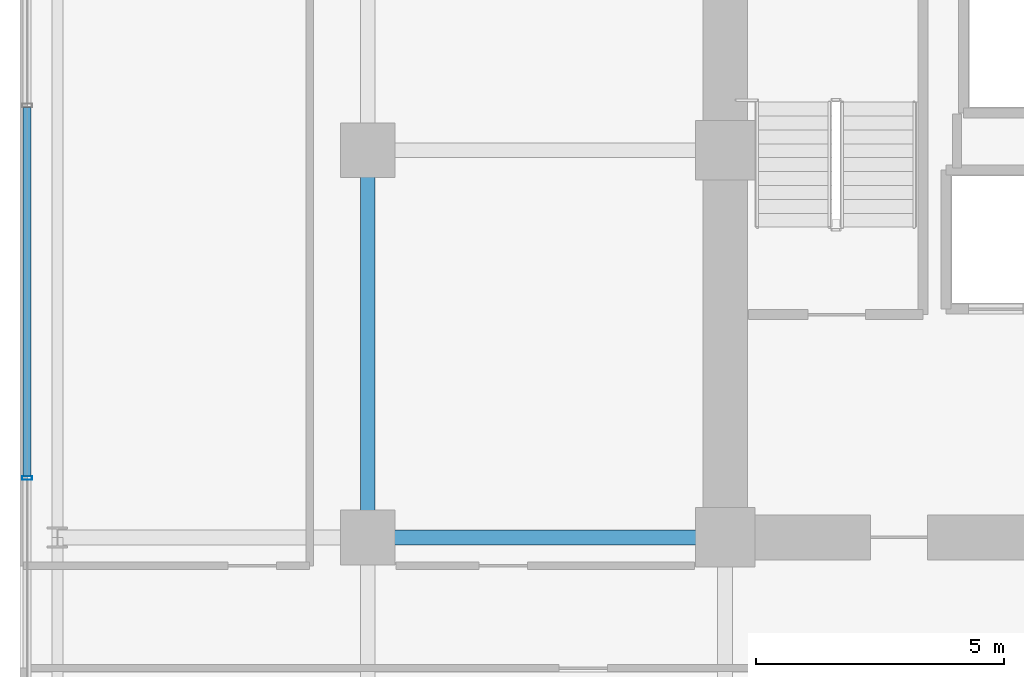
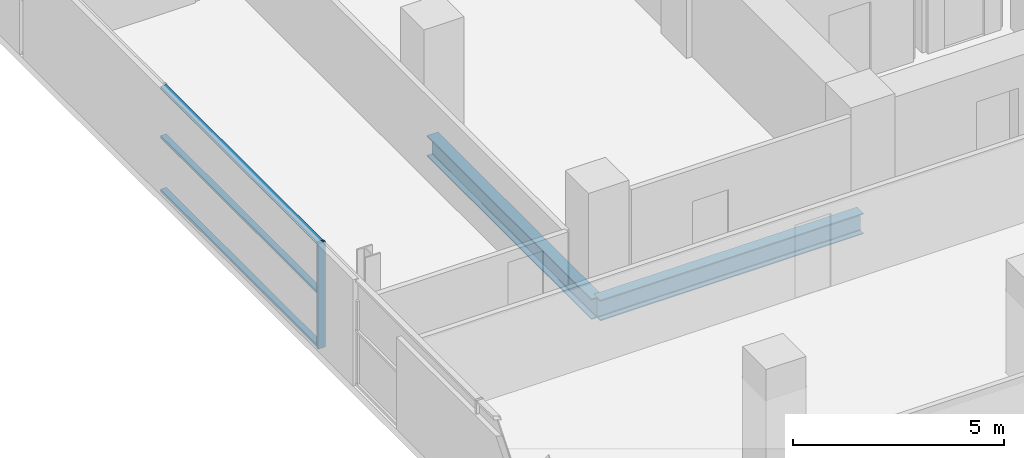
# One storey, part 8 of 28: 4 members, 2 beams, 1 element without a shape of its own.
"""IFC4 building model written with IfcOpenShell, lengths in metres."""

from ifc_helpers import new_model, si_unit, direction, frame, origin, origin_2d, place, context, subcontext, project, spatial, hollow_rectangle, i_section, extrude, source, transform, mapped, material, layer, layer_set, material_profile, profile_set, type_object, element, aggregate, save


model = new_model("IFC4")

# Units and contexts
model_context = context("Model", 3, precision=1e-05, world=origin(), true_north=direction((0.0, 1.0)))
body_context = subcontext(model_context, "Body", "Model", "MODEL_VIEW")
ifc_project = project(units=[si_unit("LENGTHUNIT", "METRE"), si_unit("AREAUNIT", "SQUARE_METRE"), si_unit("VOLUMEUNIT", "CUBIC_METRE"), si_unit("PLANEANGLEUNIT", "RADIAN"), si_unit("MASSUNIT", "GRAM", prefix="KILO")], contexts=[model_context])

# Site, building, storey
site_placement = place(None, origin())
site = spatial("IfcSite", under=ifc_project, at=site_placement, CompositionType="ELEMENT")
building_placement = place(site_placement, origin())
building = spatial("IfcBuilding", under=site, at=building_placement, Name="Zarnakvel Exchange Tower", CompositionType="ELEMENT")
storey_placement = place(building_placement, frame((0.0, 0.0, 57.10009765625)))
storey = spatial("IfcBuildingStorey", under=building, at=storey_placement, Name="L15", CompositionType="ELEMENT", Elevation=57.10009765625)

# Beams
ifc_material_1 = material(Name="Steel S355", Category="steel")
ifc_material_profile_1 = material_profile(ifc_material_1, i_section(OverallWidth=0.300048828125, OverallDepth=0.60009765625, WebThickness=0.015380859375, FlangeThickness=0.030029296875, FilletRadius=0.027099609375, at=origin_2d()))
ifc_profile_set_1 = profile_set([ifc_material_profile_1], Name="Steel S355")
beam_type = type_object("IfcBeamType", Name="G-04", PredefinedType="BEAM", material=ifc_profile_set_1)
beam_1_placement = place(storey_placement, frame((-21.60009765625, -1.199951171875, -0.525146484375), z_axis=(1.0, 0.0, 0.0), x_axis=(0.0, 1.0, 0.0)))
element("IfcBeam", 1, at=beam_1_placement, inside=storey, type_object=beam_type, Name="L15 Tower E-W Frame Beam", PredefinedType="BEAM", context=body_context, shape_type="SweptSolid", body=[
    extrude(i_section(OverallWidth=0.300048828125, OverallDepth=0.60009765625, WebThickness=0.015380859375, FlangeThickness=0.030029296875, FilletRadius=0.027099609375, at=origin_2d()), origin(), (0.0, 0.0, 1.0), 7.2001953125),
])
beam_2_placement = place(storey_placement, frame((-21.60009765625, -1.199951171875, -0.525146484375), z_axis=(0.0, 1.0, 0.0), x_axis=(-1.0, 0.0, 0.0)))
element("IfcBeam", 2, at=beam_2_placement, inside=storey, type_object=beam_type, Name="L15 Tower N-S Frame Beam", PredefinedType="BEAM", context=body_context, shape_type="SweptSolid", body=[
    extrude(i_section(OverallWidth=0.300048828125, OverallDepth=0.60009765625, WebThickness=0.015380859375, FlangeThickness=0.030029296875, FilletRadius=0.027099609375, at=origin_2d()), origin(), (0.0, 0.0, 1.0), 7.800048828125),
])

# Curtain wall, members
ifc_material_2 = material(Name="Architectural Bronze Anodised Aluminium", Category="aluminium")
ifc_layer = layer(ifc_material_2, 0.199951171875)
ifc_layer_set = layer_set([ifc_layer], Name="Architectural Bronze Anodised Aluminium")
curtain_wall_type = type_object("IfcCurtainWallType", Name="CW-04", PredefinedType="NOTDEFINED", material=ifc_layer_set)
curtain_wall_placement = place(storey_placement, origin())
curtain_wall = element("IfcCurtainWall", 3, at=curtain_wall_placement, inside=storey, type_object=curtain_wall_type, Name="L15 Curtain Wall CW-L15-W1 (CW-04)", PredefinedType="NOTDEFINED")
ifc_material_profile_2 = material_profile(ifc_material_2, hollow_rectangle(XDim=0.159912109375, YDim=0.074951171875, WallThickness=0.00390625, at=origin_2d()))
ifc_profile_set_2 = profile_set([ifc_material_profile_2], Name="Architectural Bronze Anodised Aluminium")
member_type_1 = type_object("IfcMemberType", Name="CWT-04", PredefinedType="USERDEFINED", material=ifc_profile_set_2)
shared_shape_1 = source(origin(), body_context, "Body", "SweptSolid", [
    extrude(hollow_rectangle(XDim=0.159912109375, YDim=0.074951171875, WallThickness=0.00390625, at=origin_2d()), origin(), (0.0, 0.0, 1.0), 7.4248046875),
])
member_1_placement = place(storey_placement, frame((-28.4599609375, 0.03759765625, 0.037353515625), z_axis=(0.0, 1.0, 0.0), x_axis=(-1.0, 0.0, 0.0)))
member_1 = element("IfcMember", 4, at=member_1_placement, type_object=member_type_1, Name="CW-04 transom 3.1", ObjectType="TRANSOM", PredefinedType="USERDEFINED", context=body_context, shape_type="MappedRepresentation", body=[
    mapped(shared_shape_1, transform((0.0, 0.0, 0.0), x_axis=(1.0, 0.0, 0.0), y_axis=(0.0, 1.0, 0.0), z_axis=(0.0, 0.0, 1.0), scale=1.0)),
])
member_2_placement = place(storey_placement, frame((-28.4599609375, 0.03759765625, 1.588623046875), z_axis=(0.0, 1.0, 0.0), x_axis=(-1.0, 0.0, 0.0)))
member_2 = element("IfcMember", 5, at=member_2_placement, type_object=member_type_1, Name="CW-04 transom 3.2", ObjectType="TRANSOM", PredefinedType="USERDEFINED", context=body_context, shape_type="MappedRepresentation", body=[
    mapped(shared_shape_1, transform((0.0, 0.0, 0.0), x_axis=(1.0, 0.0, 0.0), y_axis=(0.0, 1.0, 0.0), z_axis=(0.0, 0.0, 1.0), scale=1.0)),
])
member_3_placement = place(storey_placement, frame((-28.4599609375, 0.03759765625, 3.017333984375), z_axis=(0.0, 1.0, 0.0), x_axis=(-1.0, 0.0, 0.0)))
member_3 = element("IfcMember", 6, at=member_3_placement, type_object=member_type_1, Name="CW-04 transom 3.3", ObjectType="TRANSOM", PredefinedType="USERDEFINED", context=body_context, shape_type="MappedRepresentation", body=[
    mapped(shared_shape_1, transform((0.0, 0.0, 0.0), x_axis=(1.0, 0.0, 0.0), y_axis=(0.0, 1.0, 0.0), z_axis=(0.0, 0.0, 1.0), scale=1.0)),
])
ifc_material_profile_3 = material_profile(ifc_material_2, hollow_rectangle(XDim=0.199951171875, YDim=0.074951171875, WallThickness=0.0048828125, at=origin_2d()))
ifc_profile_set_3 = profile_set([ifc_material_profile_3], Name="Architectural Bronze Anodised Aluminium")
member_type_2 = type_object("IfcMemberType", Name="CWM-04", PredefinedType="MULLION", material=ifc_profile_set_3)
shared_shape_2 = source(origin(), body_context, "Body", "SweptSolid", [
    extrude(hollow_rectangle(XDim=0.199951171875, YDim=0.074951171875, WallThickness=0.0048828125, at=origin_2d()), origin(), (0.0, 0.0, 1.0), 3.054931640625),
])
member_4_placement = place(storey_placement, frame((-28.4599609375, 0.0, 0.0), z_axis=(0.0, 0.0, 1.0), x_axis=(-1.0, 0.0, 0.0)))
member_4 = element("IfcMember", 7, at=member_4_placement, type_object=member_type_2, Name="CW-04 mullion 3", PredefinedType="MULLION", context=body_context, shape_type="MappedRepresentation", body=[
    mapped(shared_shape_2, transform((0.0, 0.0, 0.0), x_axis=(1.0, 0.0, 0.0), y_axis=(0.0, 1.0, 0.0), z_axis=(0.0, 0.0, 1.0), scale=1.0)),
])
aggregate(curtain_wall, [member_4, member_1, member_2, member_3])

save(model, "model.ifc")
